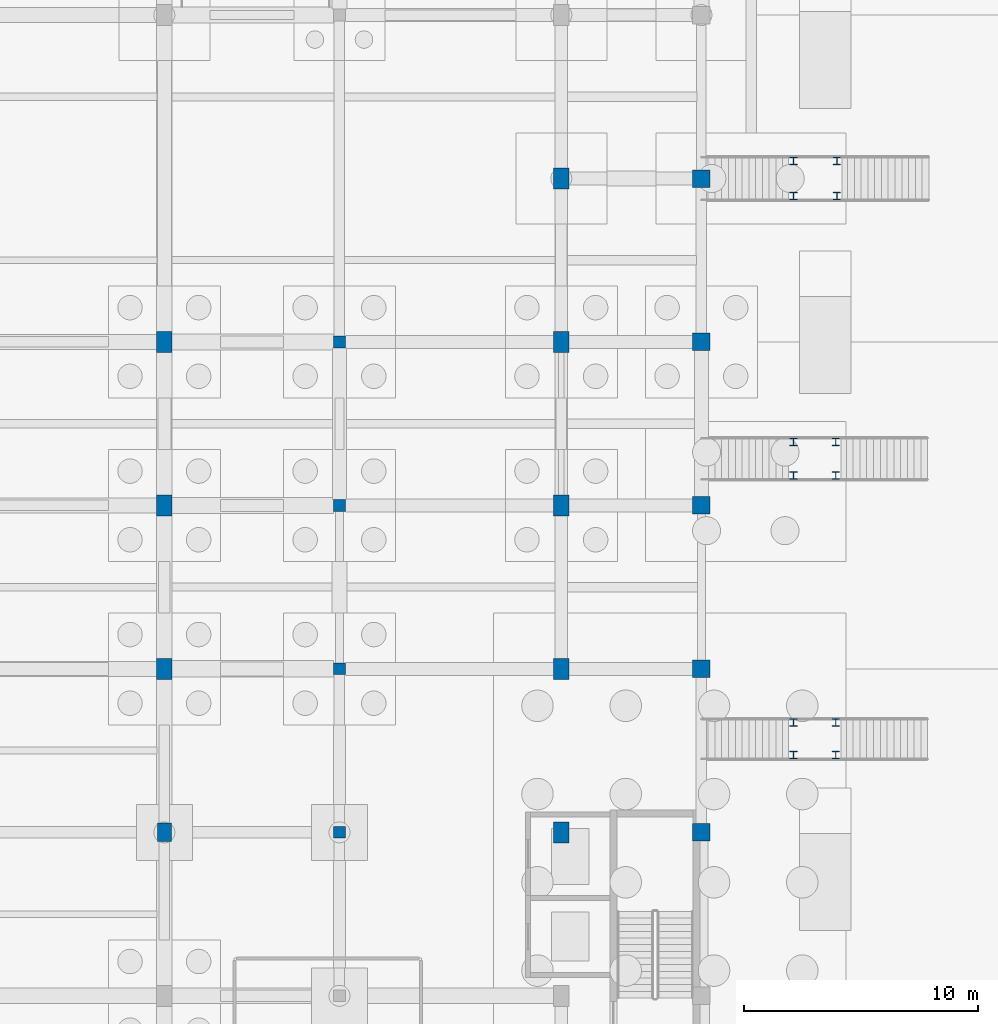
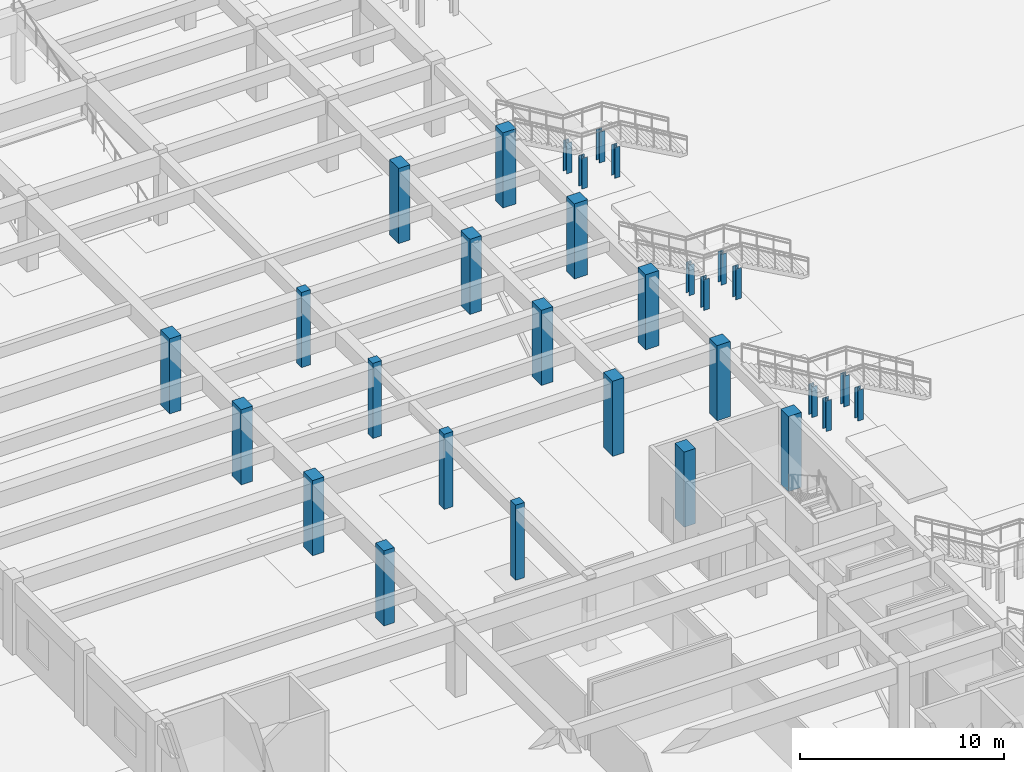
# One storey, part 18 of 84: 30 columns.
"""IFC4 building model written with IfcOpenShell, lengths in metres."""

from ifc_helpers import new_model, si_unit, direction, frame, origin, origin_2d, place, context, subcontext, project, spatial, rectangle, i_section, extrude, material, material_profile, profile_set, type_object, element, save


model = new_model("IFC4")

# Units and contexts
model_context = context("Model", 3, precision=1e-05, world=origin(), true_north=direction((0.0, 1.0)))
body_context = subcontext(model_context, "Body", "Model", "MODEL_VIEW")
ifc_project = project(units=[si_unit("LENGTHUNIT", "METRE"), si_unit("AREAUNIT", "SQUARE_METRE"), si_unit("VOLUMEUNIT", "CUBIC_METRE"), si_unit("PLANEANGLEUNIT", "RADIAN"), si_unit("MASSUNIT", "GRAM", prefix="KILO")], contexts=[model_context])

# Site, building, storey
site_placement = place(None, origin())
site = spatial("IfcSite", under=ifc_project, at=site_placement, CompositionType="ELEMENT")
building_placement = place(site_placement, origin())
building = spatial("IfcBuilding", under=site, at=building_placement, Name="Larkveld Mobility Hub", CompositionType="ELEMENT")
storey_placement = place(building_placement, origin())
storey = spatial("IfcBuildingStorey", under=building, at=storey_placement, Name="L00", CompositionType="ELEMENT", Elevation=0.0)

# Columns
ifc_material_1 = material(Name="Precast concrete C50/60", Category="concrete")
ifc_material_profile_1 = material_profile(ifc_material_1, rectangle(XDim=0.60009765625, YDim=0.800048828125, at=origin_2d()), Name="RC COL 600x800")
ifc_profile_set_1 = profile_set([ifc_material_profile_1], Name="Precast concrete C50/60")
column_type_1 = type_object("IfcColumnType", Name="CL-PC6080", PredefinedType="COLUMN", material=ifc_profile_set_1)
column_placement = place(storey_placement, frame((129.0, 63.0, 0.0), z_axis=(0.0, 0.0, 1.0), x_axis=(1.0, 0.0, 0.0)))
element("IfcColumn", 1, at=column_placement, inside=storey, type_object=column_type_1, Name="Column EVR-X1290-Y63 (L00)", PredefinedType="COLUMN", context=body_context, shape_type="SweptSolid", body=[
    extrude(rectangle(XDim=0.60009765625, YDim=0.800048828125, at=origin_2d()), origin(), (0.0, 0.0, 1.0), 4.5),
])
ifc_material_profile_2 = material_profile(ifc_material_1, rectangle(XDim=0.64990234375, YDim=0.89990234375, at=origin_2d()), Name="RC COL 650x900")
ifc_profile_set_2 = profile_set([ifc_material_profile_2], Name="Precast concrete C50/60")
column_type_2 = type_object("IfcColumnType", Name="CL-PC6590", PredefinedType="COLUMN", material=ifc_profile_set_2)
for number, where, z_axis, x_axis, name in (
    (2, (129.0, 70.0, 0.0), (0.0, 0.0, 1.0), (1.0, 0.0, 0.0), "Column EV-X129-Y70 (L00)"),
    (3, (129.0, 77.0, 0.0), (0.0, 0.0, 1.0), (1.0, 0.0, 0.0), "Column EV-X129-Y77 (L00)"),
    (4, (129.0, 84.0, 0.0), (0.0, 0.0, 1.0), (1.0, 0.0, 0.0), "Column EV-X129-Y84 (L00)"),
    (5, (146.0, 63.0, 0.0), (0.0, 0.0, 1.0), (1.0, 0.0, 0.0), "Column EV-X146-Y63 (L00)"),
    (6, (146.0, 70.0, 0.0), (0.0, 0.0, 1.0), (1.0, 0.0, 0.0), "Column EV-X146-Y70 (L00)"),
    (7, (146.0, 77.0, 0.0), (0.0, 0.0, 1.0), (1.0, 0.0, 0.0), "Column EV-X146-Y77 (L00)"),
    (8, (146.0, 84.0, 0.0), (0.0, 0.0, 1.0), (1.0, 0.0, 0.0), "Column EV-X146-Y84 (L00)"),
    (9, (146.0, 91.0, 0.0), (0.0, 0.0, 1.0), (1.0, 0.0, 0.0), "Column EV-X146-Y91 (L00)"),
):
    element("IfcColumn", number, at=place(storey_placement, frame(where, z_axis=z_axis, x_axis=x_axis)), inside=storey, type_object=column_type_2, Name=name, PredefinedType="COLUMN", context=body_context, shape_type="SweptSolid", body=[
        extrude(rectangle(XDim=0.64990234375, YDim=0.89990234375, at=origin_2d()), origin(), (0.0, 0.0, 1.0), 4.5),
    ])
ifc_material_2 = material(Name="Concrete C40/50", Category="concrete")
ifc_material_profile_3 = material_profile(ifc_material_2, rectangle(XDim=0.5, YDim=0.5, at=origin_2d()), Name="RC COL 500x500")
ifc_profile_set_3 = profile_set([ifc_material_profile_3], Name="Concrete C40/50")
column_type_3 = type_object("IfcColumnType", Name="CL-RC500", PredefinedType="COLUMN", material=ifc_profile_set_3)
for number, where, z_axis, x_axis, name in (
    (10, (136.5, 70.0, 0.0), (0.0, 0.0, 1.0), (1.0, 0.0, 0.0), "Column EVRMP-X1365-Y70 (L00)"),
    (11, (136.5, 77.0, 0.0), (0.0, 0.0, 1.0), (1.0, 0.0, 0.0), "Column EVRMP-X1365-Y77 (L00)"),
    (12, (136.5, 84.0, 0.0), (0.0, 0.0, 1.0), (1.0, 0.0, 0.0), "Column EVRMP-X1365-Y84 (L00)"),
    (13, (136.5, 63.0, 0.0), (0.0, 0.0, 1.0), (1.0, 0.0, 0.0), "Column EVR-X1365-Y63 (L00)"),
):
    element("IfcColumn", number, at=place(storey_placement, frame(where, z_axis=z_axis, x_axis=x_axis)), inside=storey, type_object=column_type_3, Name=name, PredefinedType="COLUMN", context=body_context, shape_type="SweptSolid", body=[
        extrude(rectangle(XDim=0.5, YDim=0.5, at=origin_2d()), origin(), (0.0, 0.0, 1.0), 4.5),
    ])
ifc_material_profile_4 = material_profile(ifc_material_2, rectangle(XDim=0.75, YDim=0.75, at=origin_2d()), Name="RC COL 750x750")
ifc_profile_set_4 = profile_set([ifc_material_profile_4], Name="Concrete C40/50")
column_type_4 = type_object("IfcColumnType", Name="CL-RC750", PredefinedType="COLUMN", material=ifc_profile_set_4)
for number, where, z_axis, x_axis, name in (
    (14, (152.0, 63.0, 0.0), (0.0, 0.0, 1.0), (1.0, 0.0, 0.0), "Column EV-X152-Y63 (L00)"),
    (15, (152.0, 70.0, 0.0), (0.0, 0.0, 1.0), (1.0, 0.0, 0.0), "Column EV-X152-Y70 (L00)"),
    (16, (152.0, 77.0, 0.0), (0.0, 0.0, 1.0), (1.0, 0.0, 0.0), "Column EV-X152-Y77 (L00)"),
    (17, (152.0, 84.0, 0.0), (0.0, 0.0, 1.0), (1.0, 0.0, 0.0), "Column EV-X152-Y84 (L00)"),
    (18, (152.0, 91.0, 0.0), (0.0, 0.0, 1.0), (1.0, 0.0, 0.0), "Column EV-X152-Y91 (L00)"),
):
    element("IfcColumn", number, at=place(storey_placement, frame(where, z_axis=z_axis, x_axis=x_axis)), inside=storey, type_object=column_type_4, Name=name, PredefinedType="COLUMN", context=body_context, shape_type="SweptSolid", body=[
        extrude(rectangle(XDim=0.75, YDim=0.75, at=origin_2d()), origin(), (0.0, 0.0, 1.0), 4.5),
    ])
ifc_material_3 = material(Name="Steel S355JR", Category="steel")
ifc_material_profile_5 = material_profile(ifc_material_3, i_section(OverallWidth=0.30908203125, OverallDepth=0.320556640625, WebThickness=0.013916015625, FlangeThickness=0.021728515625, FilletRadius=0.01513671875, at=origin_2d()), Name="UC 305x305x137")
ifc_profile_set_5 = profile_set([ifc_material_profile_5], Name="Steel S355JR")
column_type_5 = type_object("IfcColumnType", Name="CL-STUC305", PredefinedType="COLUMN", material=ifc_profile_set_5)
for number, where, z_axis, x_axis, name in (
    (19, (157.75, 67.695068359375, 0.0), (0.0, 0.0, 1.0), (1.0, 0.0, 0.0), "Central Bus Hall Straight Stair FS3 Mid-Landing Support Post 1"),
    (20, (155.93994140625, 67.695068359375, 0.0), (0.0, 0.0, 1.0), (1.0, 0.0, 0.0), "Central Bus Hall Straight Stair FS3 Mid-Landing Support Post 2"),
    (21, (155.93994140625, 66.304931640625, 0.0), (0.0, 0.0, 1.0), (1.0, 0.0, 0.0), "Central Bus Hall Straight Stair FS3 Mid-Landing Support Post 3"),
    (22, (157.75, 66.304931640625, 0.0), (0.0, 0.0, 1.0), (1.0, 0.0, 0.0), "Central Bus Hall Straight Stair FS3 Mid-Landing Support Post 4"),
    (23, (157.75, 79.72509765625, 0.0), (0.0, 0.0, 1.0), (1.0, 0.0, 0.0), "Intermodal Transfer Straight Stair FS4 Mid-Landing Support Post 1"),
    (24, (155.93994140625, 79.72509765625, 0.0), (0.0, 0.0, 1.0), (1.0, 0.0, 0.0), "Intermodal Transfer Straight Stair FS4 Mid-Landing Support Post 2"),
    (25, (155.93994140625, 78.27490234375, 0.0), (0.0, 0.0, 1.0), (1.0, 0.0, 0.0), "Intermodal Transfer Straight Stair FS4 Mid-Landing Support Post 3"),
    (26, (157.75, 78.27490234375, 0.0), (0.0, 0.0, 1.0), (1.0, 0.0, 0.0), "Intermodal Transfer Straight Stair FS4 Mid-Landing Support Post 4"),
    (27, (157.800048828125, 91.7548828125, 0.0), (0.0, 0.0, 1.0), (1.0, 0.0, 0.0), "Taxi Concourse South Straight Stair FS5 Mid-Landing Support Post 1"),
    (28, (155.93994140625, 91.7548828125, 0.0), (0.0, 0.0, 1.0), (1.0, 0.0, 0.0), "Taxi Concourse South Straight Stair FS5 Mid-Landing Support Post 2"),
    (29, (155.93994140625, 90.2451171875, 0.0), (0.0, 0.0, 1.0), (1.0, 0.0, 0.0), "Taxi Concourse South Straight Stair FS5 Mid-Landing Support Post 3"),
    (30, (157.800048828125, 90.2451171875, 0.0), (0.0, 0.0, 1.0), (1.0, 0.0, 0.0), "Taxi Concourse South Straight Stair FS5 Mid-Landing Support Post 4"),
):
    element("IfcColumn", number, at=place(storey_placement, frame(where, z_axis=z_axis, x_axis=x_axis)), inside=storey, type_object=column_type_5, Name=name, PredefinedType="COLUMN", context=body_context, shape_type="SweptSolid", body=[
        extrude(i_section(OverallWidth=0.30908203125, OverallDepth=0.320556640625, WebThickness=0.013916015625, FlangeThickness=0.021728515625, FilletRadius=0.01513671875, at=origin_2d()), origin(), (0.0, 0.0, 1.0), 1.8349609375),
    ])

save(model, "model.ifc")
